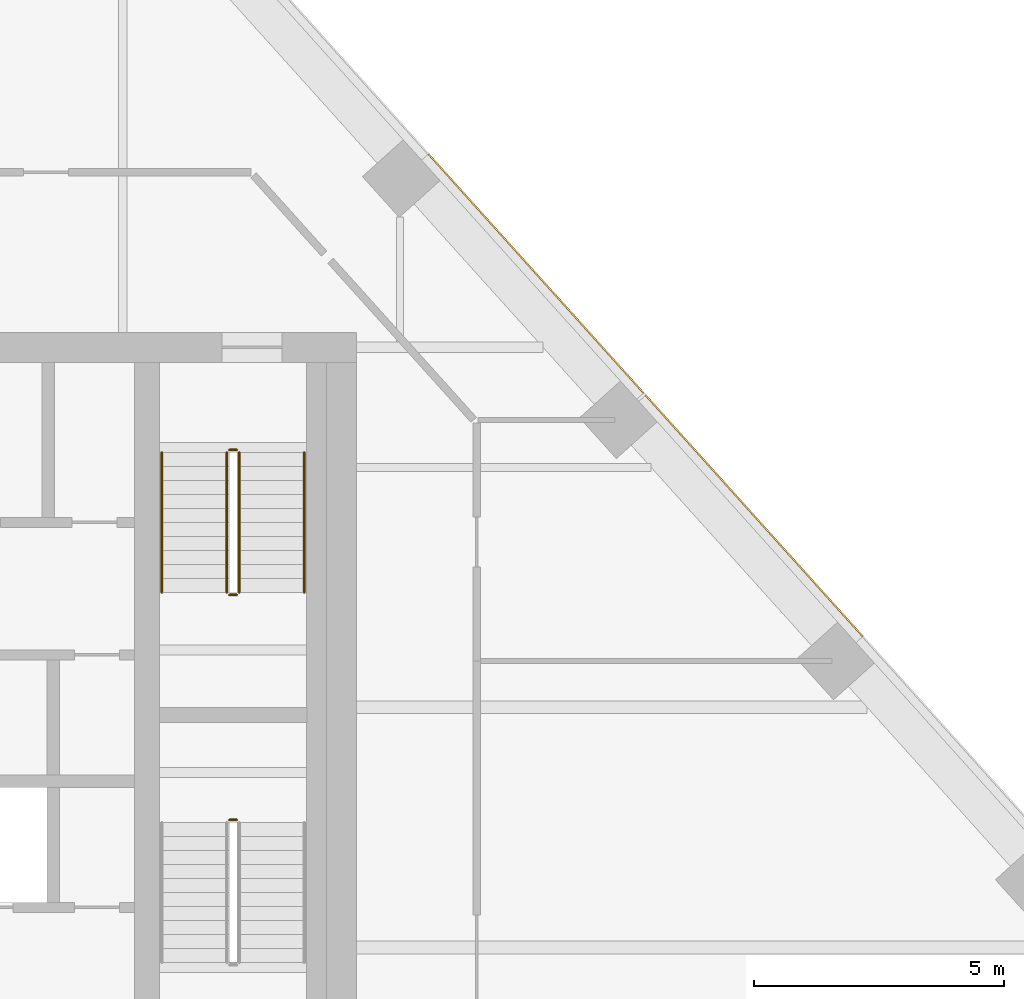
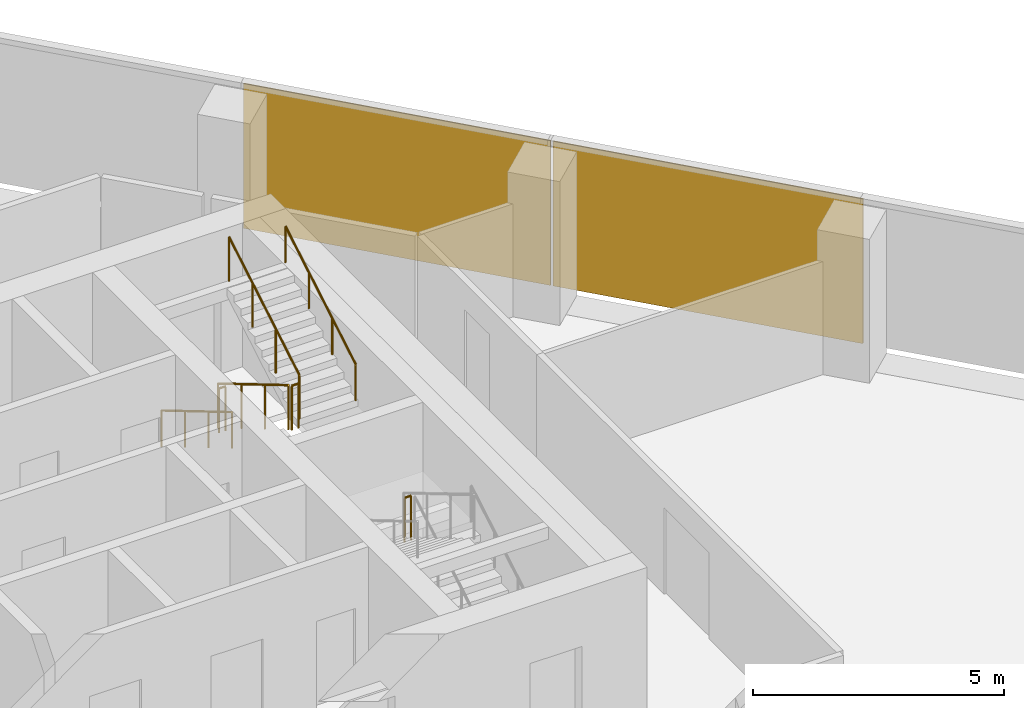
# One storey, part 15 of 15: 7 railings, 2 coverings, 1 element without a shape of its own.
"""IFC4 building model written with IfcOpenShell, lengths in metres."""

from ifc_helpers import new_model, si_unit, direction, frame, origin, origin_2d, place, context, subcontext, project, spatial, rectangle, circle, extrude, material, layer, layer_set, type_object, element, aggregate, save


model = new_model("IFC4")

# Units and contexts
model_context = context("Model", 3, precision=1e-05, world=origin(), true_north=direction((0.0, 1.0)))
body_context = subcontext(model_context, "Body", "Model", "MODEL_VIEW")
ifc_project = project(units=[si_unit("LENGTHUNIT", "METRE"), si_unit("AREAUNIT", "SQUARE_METRE"), si_unit("VOLUMEUNIT", "CUBIC_METRE"), si_unit("PLANEANGLEUNIT", "RADIAN"), si_unit("MASSUNIT", "GRAM", prefix="KILO")], contexts=[model_context])

# Site, building, storey
site_placement = place(None, origin())
site = spatial("IfcSite", under=ifc_project, at=site_placement, CompositionType="ELEMENT")
building_placement = place(site_placement, origin())
building = spatial("IfcBuilding", under=site, at=building_placement, Name="Isthmus Gate Tower", CompositionType="ELEMENT")
storey_placement = place(building_placement, frame((0.0, 0.0, 245.5)))
storey = spatial("IfcBuildingStorey", under=building, at=storey_placement, Name="L62", CompositionType="ELEMENT", Elevation=245.5)

# Curtain wall, coverings
ifc_material_1 = material(Name="Aluminium, pale champagne anodised", Category="aluminium")
ifc_layer_1 = layer(ifc_material_1, 0.199951171875)
ifc_layer_set_1 = layer_set([ifc_layer_1], Name="CW-1 UNITISED CURTAIN WALL 200 DEEP")
curtain_wall_type = type_object("IfcCurtainWallType", Name="CW-1 UNITISED CURTAIN WALL 200 DEEP", PredefinedType="NOTDEFINED", material=ifc_layer_set_1)
curtain_wall_placement = place(storey_placement, origin())
curtain_wall = element("IfcCurtainWall", 1, at=curtain_wall_placement, inside=storey, type_object=curtain_wall_type, Name="CW-1 NE L62", PredefinedType="NOTDEFINED")
ifc_material_2 = material(Name="Aluminium composite panel, pale champagne anodised", Category="aluminium")
ifc_layer_2 = layer(ifc_material_2, 0.031982421875)
ifc_layer_set_2 = layer_set([ifc_layer_2], Name="CW-1 PALE METAL PANEL 32")
covering_type = type_object("IfcCoveringType", Name="CW-1 PALE METAL PANEL 32", PredefinedType="CLADDING", material=ifc_layer_set_2)
covering_1_placement = place(storey_placement, frame((22.950927734375, 11.330810546875, 0.0), z_axis=(0.0, 0.0, 1.0), x_axis=(-0.669130606359, 0.743144825477, 0.0)))
covering_1 = element("IfcCovering", 2, at=covering_1_placement, type_object=covering_type, Name="CW-1 pale metal panel", PredefinedType="CLADDING", context=body_context, shape_type="SweptSolid", body=[
    extrude(rectangle(XDim=6.491943359375, YDim=0.031982421875, at=origin_2d()), origin(), (0.0, 0.0, 1.0), 3.52001953125),
])
covering_2_placement = place(storey_placement, frame((18.5869140625, 16.177734375, 0.0), z_axis=(0.0, 0.0, 1.0), x_axis=(-0.669130606359, 0.743144825477, 0.0)))
covering_2 = element("IfcCovering", 3, at=covering_2_placement, type_object=covering_type, Name="CW-1 pale metal panel", PredefinedType="CLADDING", context=body_context, shape_type="SweptSolid", body=[
    extrude(rectangle(XDim=6.431884765625, YDim=0.031982421875, at=origin_2d()), origin(), (0.0, 0.0, 1.0), 3.52001953125),
])
aggregate(curtain_wall, [covering_1, covering_2])

# Railings
ifc_material_3 = material(Name="Stainless steel balustrade", Category="steel")
railing_type_1 = type_object("IfcRailingType", Name="STAIR GUARD 1100", PredefinedType="GUARDRAIL", material=ifc_material_3)
railing_1_placement = place(storey_placement, frame((12.39990234375, 12.60009765625, 0.166015625)))
element("IfcRailing", 4, at=railing_1_placement, inside=storey, type_object=railing_type_1, Name="L62 ST2 stair guard 1", PredefinedType="GUARDRAIL", context=body_context, shape_type="SweptSolid", body=[
    extrude(circle(Radius=0.02392578125, at=origin_2d()), frame((0.0, 0.0, 1.076171875), z_axis=(0.0, -0.860339051648, 0.50972219513), x_axis=(1.0, 0.0, 0.0)), (0.0, 0.0, 1.0), 3.254638671875),
    extrude(circle(Radius=0.02099609375, at=origin_2d()), origin(), (0.0, 0.0, 1.0), 1.052001953125),
    extrude(circle(Radius=0.02099609375, at=origin_2d()), frame((0.0, -0.933349609375, 0.552978515625)), (0.0, 0.0, 1.0), 1.052001953125),
    extrude(circle(Radius=0.02099609375, at=origin_2d()), frame((0.0, -1.86669921875, 1.10595703125)), (0.0, 0.0, 1.0), 1.052001953125),
    extrude(circle(Radius=0.02099609375, at=origin_2d()), frame((0.0, -2.800048828125, 1.658935546875)), (0.0, 0.0, 1.0), 1.052001953125),
])
railing_2_placement = place(storey_placement, frame((12.449951171875, 9.75, 1.824951171875)))
element("IfcRailing", 5, at=railing_2_placement, inside=storey, type_object=railing_type_1, Name="L62 ST2 stair guard 2", PredefinedType="GUARDRAIL", context=body_context, shape_type="SweptSolid", body=[
    extrude(circle(Radius=0.02392578125, at=origin_2d()), frame((0.0, 0.0, 1.076171875), z_axis=(1.0, 0.0, 0.0), x_axis=(0.0, 1.0, 0.0)), (0.0, 0.0, 1.0), 0.150146484375),
    extrude(circle(Radius=0.02099609375, at=origin_2d()), origin(), (0.0, 0.0, 1.0), 1.052001953125),
    extrude(circle(Radius=0.02099609375, at=origin_2d()), frame((0.150146484375, 0.0, 0.0)), (0.0, 0.0, 1.0), 1.052001953125),
])
railing_3_placement = place(storey_placement, frame((12.64990234375, 9.800048828125, 1.990966796875)))
element("IfcRailing", 6, at=railing_3_placement, inside=storey, type_object=railing_type_1, Name="L62 ST2 stair guard 3", PredefinedType="GUARDRAIL", context=body_context, shape_type="SweptSolid", body=[
    extrude(circle(Radius=0.02392578125, at=origin_2d()), frame((0.0, 0.0, 1.076171875), z_axis=(0.0, 0.860339051648, 0.50972219513), x_axis=(-1.0, 0.0, 0.0)), (0.0, 0.0, 1.0), 3.254638671875),
    extrude(circle(Radius=0.02099609375, at=origin_2d()), origin(), (0.0, 0.0, 1.0), 1.052001953125),
    extrude(circle(Radius=0.02099609375, at=origin_2d()), frame((0.0, 0.933349609375, 0.552978515625)), (0.0, 0.0, 1.0), 1.052001953125),
    extrude(circle(Radius=0.02099609375, at=origin_2d()), frame((0.0, 1.86669921875, 1.10595703125)), (0.0, 0.0, 1.0), 1.052001953125),
    extrude(circle(Radius=0.02099609375, at=origin_2d()), frame((0.0, 2.800048828125, 1.658935546875)), (0.0, 0.0, 1.0), 1.052001953125),
])
railing_4_placement = place(storey_placement, frame((12.449951171875, 12.64990234375, 0.0)))
element("IfcRailing", 7, at=railing_4_placement, inside=storey, type_object=railing_type_1, Name="L62 ST2 stair guard 4", PredefinedType="GUARDRAIL", context=body_context, shape_type="SweptSolid", body=[
    extrude(circle(Radius=0.02392578125, at=origin_2d()), frame((0.0, 0.0, 1.076171875), z_axis=(1.0, 0.0, 0.0), x_axis=(0.0, 1.0, 0.0)), (0.0, 0.0, 1.0), 0.150146484375),
    extrude(circle(Radius=0.02099609375, at=origin_2d()), origin(), (0.0, 0.0, 1.0), 1.052001953125),
    extrude(circle(Radius=0.02099609375, at=origin_2d()), frame((0.150146484375, 0.0, 0.0)), (0.0, 0.0, 1.0), 1.052001953125),
])
railing_5_placement = place(storey_placement, frame((12.60009765625, 5.25, 1.824951171875)))
element("IfcRailing", 8, at=railing_5_placement, inside=storey, type_object=railing_type_1, Name="L62 ST8 stair guard 2", PredefinedType="GUARDRAIL", context=body_context, shape_type="SweptSolid", body=[
    extrude(circle(Radius=0.02392578125, at=origin_2d()), frame((0.0, 0.0, 1.076171875), z_axis=(-1.0, 0.0, 0.0), x_axis=(0.0, -1.0, 0.0)), (0.0, 0.0, 1.0), 0.150146484375),
    extrude(circle(Radius=0.02099609375, at=origin_2d()), origin(), (0.0, 0.0, 1.0), 1.052001953125),
    extrude(circle(Radius=0.02099609375, at=origin_2d()), frame((-0.150146484375, 0.0, 0.0)), (0.0, 0.0, 1.0), 1.052001953125),
])
ifc_material_4 = material(Name="Stainless steel handrail", Category="steel")
railing_type_2 = type_object("IfcRailingType", Name="STAIR HANDRAIL 900", PredefinedType="HANDRAIL", material=ifc_material_4)
railing_6_placement = place(storey_placement, frame((11.10009765625, 12.60009765625, 0.166015625)))
element("IfcRailing", 9, at=railing_6_placement, inside=storey, type_object=railing_type_2, Name="L62 ST2 stair handrail 1", PredefinedType="HANDRAIL", context=body_context, shape_type="SweptSolid", body=[
    extrude(circle(Radius=0.02392578125, at=origin_2d()), frame((0.0, 0.0, 0.8759765625), z_axis=(0.0, -0.860339051648, 0.50972219513), x_axis=(1.0, 0.0, 0.0)), (0.0, 0.0, 1.0), 3.254638671875),
    extrude(circle(Radius=0.02099609375, at=origin_2d()), origin(), (0.0, 0.0, 1.0), 0.851806640625),
    extrude(circle(Radius=0.02099609375, at=origin_2d()), frame((0.0, -0.933349609375, 0.552978515625)), (0.0, 0.0, 1.0), 0.851806640625),
    extrude(circle(Radius=0.02099609375, at=origin_2d()), frame((0.0, -1.86669921875, 1.10595703125)), (0.0, 0.0, 1.0), 0.851806640625),
    extrude(circle(Radius=0.02099609375, at=origin_2d()), frame((0.0, -2.800048828125, 1.658935546875)), (0.0, 0.0, 1.0), 0.851806640625),
])
railing_7_placement = place(storey_placement, frame((13.949951171875, 9.800048828125, 1.990966796875)))
element("IfcRailing", 10, at=railing_7_placement, inside=storey, type_object=railing_type_2, Name="L62 ST2 stair handrail 2", PredefinedType="HANDRAIL", context=body_context, shape_type="SweptSolid", body=[
    extrude(circle(Radius=0.02392578125, at=origin_2d()), frame((0.0, 0.0, 0.8759765625), z_axis=(0.0, 0.860339051648, 0.50972219513), x_axis=(-1.0, 0.0, 0.0)), (0.0, 0.0, 1.0), 3.254638671875),
    extrude(circle(Radius=0.02099609375, at=origin_2d()), origin(), (0.0, 0.0, 1.0), 0.851806640625),
    extrude(circle(Radius=0.02099609375, at=origin_2d()), frame((0.0, 0.933349609375, 0.552978515625)), (0.0, 0.0, 1.0), 0.851806640625),
    extrude(circle(Radius=0.02099609375, at=origin_2d()), frame((0.0, 1.86669921875, 1.10595703125)), (0.0, 0.0, 1.0), 0.851806640625),
    extrude(circle(Radius=0.02099609375, at=origin_2d()), frame((0.0, 2.800048828125, 1.658935546875)), (0.0, 0.0, 1.0), 0.851806640625),
])

save(model, "model.ifc")
